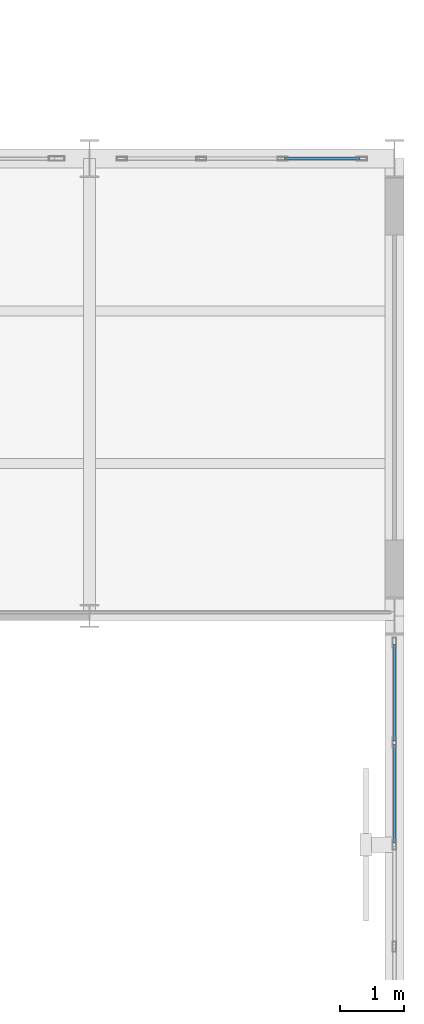
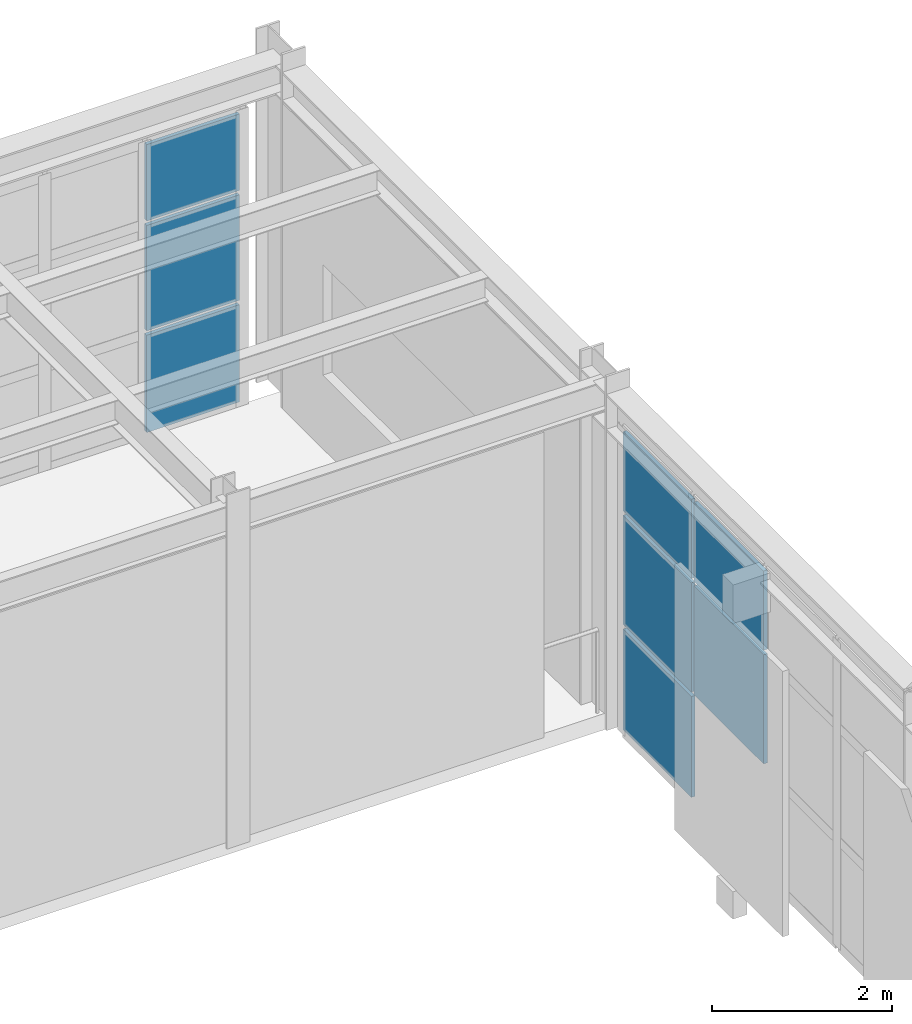
# One storey, part 90 of 121: 8 plates, 2 elements without a shape of their own.
"""IFC4 building model written with IfcOpenShell, lengths in metres."""

from ifc_helpers import new_model, si_unit, direction, frame, origin, origin_2d, place, context, subcontext, project, spatial, rectangle, extrude, material, layer, layer_set, type_object, element, aggregate, save


model = new_model("IFC4")

# Units and contexts
model_context = context("Model", 3, precision=1e-05, world=origin(), true_north=direction((0.0, 1.0)))
body_context = subcontext(model_context, "Body", "Model", "MODEL_VIEW")
ifc_project = project(units=[si_unit("LENGTHUNIT", "METRE"), si_unit("AREAUNIT", "SQUARE_METRE"), si_unit("VOLUMEUNIT", "CUBIC_METRE"), si_unit("PLANEANGLEUNIT", "RADIAN"), si_unit("MASSUNIT", "GRAM", prefix="KILO")], contexts=[model_context])

# Site, building, storey
site_placement = place(None, origin())
site = spatial("IfcSite", under=ifc_project, at=site_placement, CompositionType="ELEMENT")
building_placement = place(site_placement, origin())
building = spatial("IfcBuilding", under=site, at=building_placement, Name="Solvadek Multi-Sports Hall", CompositionType="ELEMENT")
storey_placement = place(building_placement, frame((0.0, 0.0, 4.800048828125)))
storey = spatial("IfcBuildingStorey", under=building, at=storey_placement, Name="L01", CompositionType="ELEMENT", Elevation=4.800048828125)

# Curtain wall, plates
ifc_material_1 = material(Name="Anodised aluminium", Category="aluminium")
ifc_layer_1 = layer(ifc_material_1, 0.159912109375, Name="Anodised aluminium")
ifc_layer_set_1 = layer_set([ifc_layer_1], Name="Anodised aluminium")
curtain_wall_type_1 = type_object("IfcCurtainWallType", Name="ENV-CW-384X402", PredefinedType="USERDEFINED", material=ifc_layer_set_1)
curtain_wall_1_placement = place(storey_placement, origin())
curtain_wall_1 = element("IfcCurtainWall", 1, at=curtain_wall_1_placement, inside=storey, type_object=curtain_wall_type_1, Name="L01 Perimeter Bay Curtain Wall #141", ObjectType="CURTAIN WALL", PredefinedType="USERDEFINED")
ifc_material_2 = material(Name="Tempered laminated low-E glass", Category="glass")
ifc_layer_2 = layer(ifc_material_2, 0.048095703125, Name="Tempered laminated low-E glass")
ifc_layer_set_2 = layer_set([ifc_layer_2], Name="Tempered laminated low-E glass")
plate_type = type_object("IfcPlateType", Name="ENV-CWP-06", PredefinedType="CURTAIN_PANEL", material=ifc_layer_set_2)
plate_1_placement = place(storey_placement, frame((160.264892578125, 70.800048828125, 0.06005859375), z_axis=(0.0, 0.0, 1.0), x_axis=(1.0, 0.0, 0.0)))
plate_1 = element("IfcPlate", 2, at=plate_1_placement, type_object=plate_type, Name="CW-49 panel 3.1", PredefinedType="CURTAIN_PANEL", context=body_context, shape_type="SweptSolid", body=[
    extrude(rectangle(XDim=1.18994140625, YDim=0.048095703125, at=origin_2d()), origin(), (0.0, 0.0, 1.0), 1.319091796875),
])
plate_2_placement = place(storey_placement, frame((160.264892578125, 70.800048828125, 1.43896484375), z_axis=(0.0, 0.0, 1.0), x_axis=(1.0, 0.0, 0.0)))
plate_2 = element("IfcPlate", 3, at=plate_2_placement, type_object=plate_type, Name="CW-49 panel 3.2", PredefinedType="CURTAIN_PANEL", context=body_context, shape_type="SweptSolid", body=[
    extrude(rectangle(XDim=1.18994140625, YDim=0.048095703125, at=origin_2d()), origin(), (0.0, 0.0, 1.0), 1.428955078125),
])
plate_3_placement = place(storey_placement, frame((160.264892578125, 70.800048828125, 2.927978515625), z_axis=(0.0, 0.0, 1.0), x_axis=(1.0, 0.0, 0.0)))
plate_3 = element("IfcPlate", 4, at=plate_3_placement, type_object=plate_type, Name="CW-49 panel 3.3", PredefinedType="CURTAIN_PANEL", context=body_context, shape_type="SweptSolid", body=[
    extrude(rectangle(XDim=1.18994140625, YDim=0.048095703125, at=origin_2d()), origin(), (0.0, 0.0, 1.0), 1.037109375),
])
aggregate(curtain_wall_1, [plate_1, plate_2, plate_3])

ifc_layer_3 = layer(ifc_material_1, 0.159912109375, Name="Anodised aluminium")
ifc_layer_set_3 = layer_set([ifc_layer_3], Name="Anodised aluminium")
curtain_wall_type_2 = type_object("IfcCurtainWallType", Name="ENV-CW-642X416", PredefinedType="USERDEFINED", material=ifc_layer_set_3)
curtain_wall_2_placement = place(storey_placement, origin())
curtain_wall_2 = element("IfcCurtainWall", 5, at=curtain_wall_2_placement, inside=storey, type_object=curtain_wall_type_2, Name="L01 Perimeter Bay Curtain Wall #149", ObjectType="CURTAIN WALL", PredefinedType="USERDEFINED")
plate_4_placement = place(storey_placement, frame((161.39990234375, 60.802490234375, 1.487060546875), z_axis=(0.0, 0.0, 1.0), x_axis=(0.0, 1.0, 0.0)))
plate_4 = element("IfcPlate", 6, at=plate_4_placement, type_object=plate_type, Name="CW-53 panel 3.2", PredefinedType="CURTAIN_PANEL", context=body_context, shape_type="SweptSolid", body=[
    extrude(rectangle(XDim=1.544921875, YDim=0.048095703125, at=origin_2d()), origin(), (0.0, 0.0, 1.0), 1.47998046875),
])
plate_5_placement = place(storey_placement, frame((161.39990234375, 60.802490234375, 3.02685546875), z_axis=(0.0, 0.0, 1.0), x_axis=(0.0, 1.0, 0.0)))
plate_5 = element("IfcPlate", 7, at=plate_5_placement, type_object=plate_type, Name="CW-53 panel 3.3", PredefinedType="CURTAIN_PANEL", context=body_context, shape_type="SweptSolid", body=[
    extrude(rectangle(XDim=1.544921875, YDim=0.048095703125, at=origin_2d()), origin(), (0.0, 0.0, 1.0), 1.074951171875),
])
plate_6_placement = place(storey_placement, frame((161.39990234375, 62.392578125, 0.06005859375), z_axis=(0.0, 0.0, 1.0), x_axis=(0.0, 1.0, 0.0)))
plate_6 = element("IfcPlate", 8, at=plate_6_placement, type_object=plate_type, Name="CW-53 panel 4.1", PredefinedType="CURTAIN_PANEL", context=body_context, shape_type="SweptSolid", body=[
    extrude(rectangle(XDim=1.514892578125, YDim=0.048095703125, at=origin_2d()), origin(), (0.0, 0.0, 1.0), 1.366943359375),
])
plate_7_placement = place(storey_placement, frame((161.39990234375, 62.392578125, 1.487060546875), z_axis=(0.0, 0.0, 1.0), x_axis=(0.0, 1.0, 0.0)))
plate_7 = element("IfcPlate", 9, at=plate_7_placement, type_object=plate_type, Name="CW-53 panel 4.2", PredefinedType="CURTAIN_PANEL", context=body_context, shape_type="SweptSolid", body=[
    extrude(rectangle(XDim=1.514892578125, YDim=0.048095703125, at=origin_2d()), origin(), (0.0, 0.0, 1.0), 1.47998046875),
])
plate_8_placement = place(storey_placement, frame((161.39990234375, 62.392578125, 3.02685546875), z_axis=(0.0, 0.0, 1.0), x_axis=(0.0, 1.0, 0.0)))
plate_8 = element("IfcPlate", 10, at=plate_8_placement, type_object=plate_type, Name="CW-53 panel 4.3", PredefinedType="CURTAIN_PANEL", context=body_context, shape_type="SweptSolid", body=[
    extrude(rectangle(XDim=1.514892578125, YDim=0.048095703125, at=origin_2d()), origin(), (0.0, 0.0, 1.0), 1.074951171875),
])
aggregate(curtain_wall_2, [plate_4, plate_5, plate_6, plate_7, plate_8])

save(model, "model.ifc")
